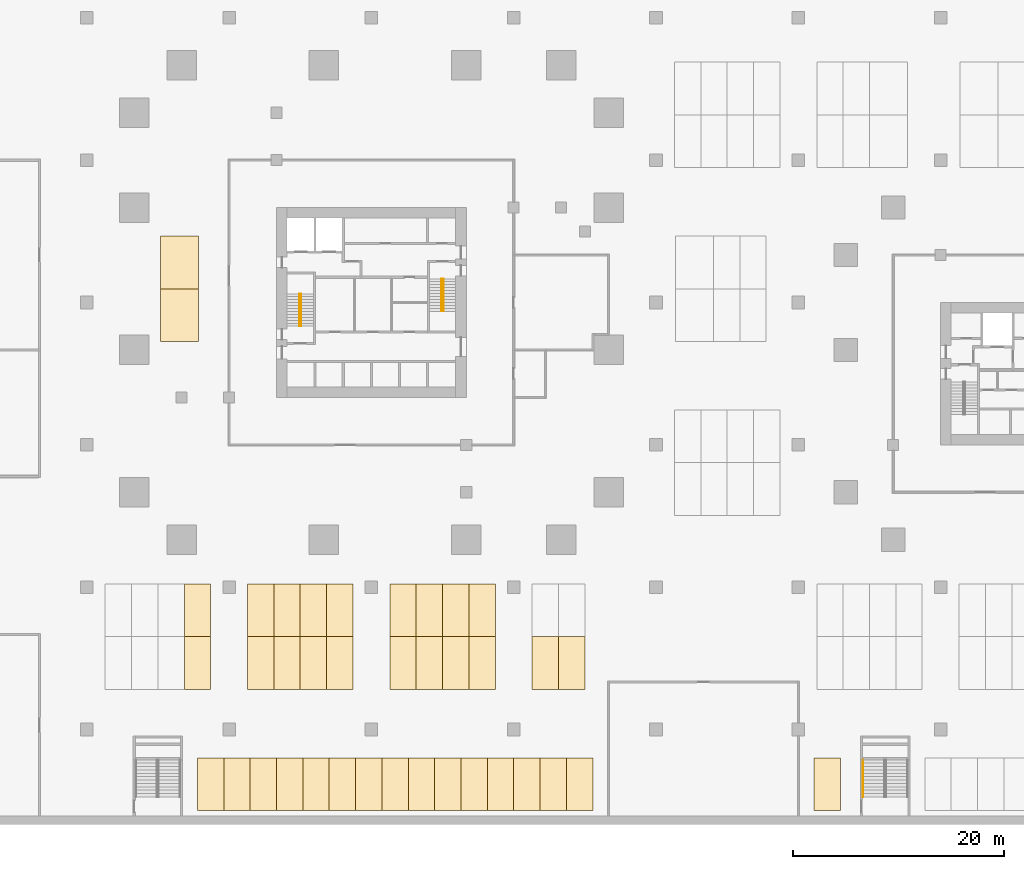
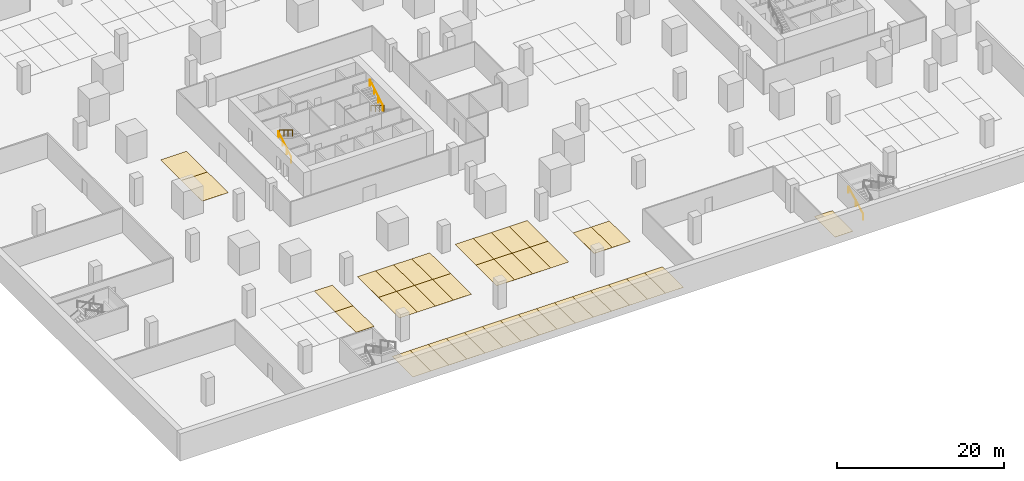
# One storey, part 19 of 31: 38 coverings, 5 railings.
"""IFC4 building model written with IfcOpenShell, lengths in metres."""

from ifc_helpers import new_model, si_unit, direction, frame, origin, origin_2d, place, context, subcontext, project, spatial, polyline, circle, outline, extrude, source, transform, mapped, material, layer, layer_set, type_object, element, save


model = new_model("IFC4")

# Units and contexts
model_context = context("Model", 3, precision=1e-05, world=origin(), true_north=direction((0.0, 1.0)))
body_context = subcontext(model_context, "Body", "Model", "MODEL_VIEW")
ifc_project = project(units=[si_unit("LENGTHUNIT", "METRE"), si_unit("AREAUNIT", "SQUARE_METRE"), si_unit("VOLUMEUNIT", "CUBIC_METRE"), si_unit("PLANEANGLEUNIT", "RADIAN"), si_unit("MASSUNIT", "GRAM", prefix="KILO")], contexts=[model_context])

# Site, building, storey
site_placement = place(None, origin())
site = spatial("IfcSite", under=ifc_project, at=site_placement, CompositionType="ELEMENT")
building_placement = place(site_placement, origin())
building = spatial("IfcBuilding", under=site, at=building_placement, Name="Altepetl Exchange Towers", CompositionType="ELEMENT")
storey_placement = place(building_placement, frame((0.0, 0.0, -4.0)))
storey = spatial("IfcBuildingStorey", under=building, at=storey_placement, Name="B1 Basement services", CompositionType="ELEMENT", Elevation=-4.0)

# Coverings
ifc_material_1 = material(Name="Road marking paint")
ifc_layer_1 = layer(ifc_material_1, 0.010009765625)
ifc_layer_set_1 = layer_set([ifc_layer_1], Name="Road marking paint")
covering_type_1 = type_object("IfcCoveringType", Name="Accessible parking bay marking 3600 x 5000", PredefinedType="FLOORING", material=ifc_layer_set_1)
covering_1_placement = place(storey_placement, origin())
element("IfcCovering", 1, at=covering_1_placement, inside=storey, type_object=covering_type_1, Name="Accessible parking bay B1-080", PredefinedType="FLOORING", context=body_context, shape_type="SweptSolid", body=[
    extrude(outline(polyline([(29.5, 45.800048828125), (33.10009765625, 45.800048828125), (33.10009765625, 50.800048828125), (29.5, 50.800048828125), (29.5, 45.800048828125)])), origin(), (0.0, 0.0, 1.0), 0.010009765625),
])
covering_2_placement = place(storey_placement, origin())
element("IfcCovering", 2, at=covering_2_placement, inside=storey, type_object=covering_type_1, Name="Accessible parking bay B1-084", PredefinedType="FLOORING", context=body_context, shape_type="SweptSolid", body=[
    extrude(outline(polyline([(29.5, 50.800048828125), (33.10009765625, 50.800048828125), (33.10009765625, 55.800048828125), (29.5, 55.800048828125), (29.5, 50.800048828125)])), origin(), (0.0, 0.0, 1.0), 0.010009765625),
])
ifc_layer_2 = layer(ifc_material_1, 0.010009765625)
ifc_layer_set_2 = layer_set([ifc_layer_2], Name="Road marking paint")
covering_type_2 = type_object("IfcCoveringType", Name="Parking bay marking 2500 x 5000", PredefinedType="FLOORING", material=ifc_layer_set_2)
covering_3_placement = place(storey_placement, origin())
element("IfcCovering", 3, at=covering_3_placement, inside=storey, type_object=covering_type_2, Name="Parking bay B1-001", PredefinedType="FLOORING", context=body_context, shape_type="SweptSolid", body=[
    extrude(outline(polyline([(33.0, 1.300048828125), (35.5, 1.300048828125), (35.5, 6.300048828125), (33.0, 6.300048828125), (33.0, 1.300048828125)])), origin(), (0.0, 0.0, 1.0), 0.010009765625),
])
covering_4_placement = place(storey_placement, origin())
element("IfcCovering", 4, at=covering_4_placement, inside=storey, type_object=covering_type_2, Name="Parking bay B1-002", PredefinedType="FLOORING", context=body_context, shape_type="SweptSolid", body=[
    extrude(outline(polyline([(35.5, 1.300048828125), (38.0, 1.300048828125), (38.0, 6.300048828125), (35.5, 6.300048828125), (35.5, 1.300048828125)])), origin(), (0.0, 0.0, 1.0), 0.010009765625),
])
covering_5_placement = place(storey_placement, origin())
element("IfcCovering", 5, at=covering_5_placement, inside=storey, type_object=covering_type_2, Name="Parking bay B1-003", PredefinedType="FLOORING", context=body_context, shape_type="SweptSolid", body=[
    extrude(outline(polyline([(38.0, 1.300048828125), (40.5, 1.300048828125), (40.5, 6.300048828125), (38.0, 6.300048828125), (38.0, 1.300048828125)])), origin(), (0.0, 0.0, 1.0), 0.010009765625),
])
covering_6_placement = place(storey_placement, origin())
element("IfcCovering", 6, at=covering_6_placement, inside=storey, type_object=covering_type_2, Name="Parking bay B1-004", PredefinedType="FLOORING", context=body_context, shape_type="SweptSolid", body=[
    extrude(outline(polyline([(40.5, 1.300048828125), (43.0, 1.300048828125), (43.0, 6.300048828125), (40.5, 6.300048828125), (40.5, 1.300048828125)])), origin(), (0.0, 0.0, 1.0), 0.010009765625),
])
covering_7_placement = place(storey_placement, origin())
element("IfcCovering", 7, at=covering_7_placement, inside=storey, type_object=covering_type_2, Name="Parking bay B1-005", PredefinedType="FLOORING", context=body_context, shape_type="SweptSolid", body=[
    extrude(outline(polyline([(43.0, 1.300048828125), (45.5, 1.300048828125), (45.5, 6.300048828125), (43.0, 6.300048828125), (43.0, 1.300048828125)])), origin(), (0.0, 0.0, 1.0), 0.010009765625),
])
covering_8_placement = place(storey_placement, origin())
element("IfcCovering", 8, at=covering_8_placement, inside=storey, type_object=covering_type_2, Name="Parking bay B1-006", PredefinedType="FLOORING", context=body_context, shape_type="SweptSolid", body=[
    extrude(outline(polyline([(45.5, 1.300048828125), (48.0, 1.300048828125), (48.0, 6.300048828125), (45.5, 6.300048828125), (45.5, 1.300048828125)])), origin(), (0.0, 0.0, 1.0), 0.010009765625),
])
covering_9_placement = place(storey_placement, origin())
element("IfcCovering", 9, at=covering_9_placement, inside=storey, type_object=covering_type_2, Name="Parking bay B1-007", PredefinedType="FLOORING", context=body_context, shape_type="SweptSolid", body=[
    extrude(outline(polyline([(48.0, 1.300048828125), (50.5, 1.300048828125), (50.5, 6.300048828125), (48.0, 6.300048828125), (48.0, 1.300048828125)])), origin(), (0.0, 0.0, 1.0), 0.010009765625),
])
covering_10_placement = place(storey_placement, origin())
element("IfcCovering", 10, at=covering_10_placement, inside=storey, type_object=covering_type_2, Name="Parking bay B1-008", PredefinedType="FLOORING", context=body_context, shape_type="SweptSolid", body=[
    extrude(outline(polyline([(50.5, 1.300048828125), (53.0, 1.300048828125), (53.0, 6.300048828125), (50.5, 6.300048828125), (50.5, 1.300048828125)])), origin(), (0.0, 0.0, 1.0), 0.010009765625),
])
covering_11_placement = place(storey_placement, origin())
element("IfcCovering", 11, at=covering_11_placement, inside=storey, type_object=covering_type_2, Name="Parking bay B1-009", PredefinedType="FLOORING", context=body_context, shape_type="SweptSolid", body=[
    extrude(outline(polyline([(53.0, 1.300048828125), (55.5, 1.300048828125), (55.5, 6.300048828125), (53.0, 6.300048828125), (53.0, 1.300048828125)])), origin(), (0.0, 0.0, 1.0), 0.010009765625),
])
covering_12_placement = place(storey_placement, origin())
element("IfcCovering", 12, at=covering_12_placement, inside=storey, type_object=covering_type_2, Name="Parking bay B1-010", PredefinedType="FLOORING", context=body_context, shape_type="SweptSolid", body=[
    extrude(outline(polyline([(55.5, 1.300048828125), (58.0, 1.300048828125), (58.0, 6.300048828125), (55.5, 6.300048828125), (55.5, 1.300048828125)])), origin(), (0.0, 0.0, 1.0), 0.010009765625),
])
covering_13_placement = place(storey_placement, origin())
element("IfcCovering", 13, at=covering_13_placement, inside=storey, type_object=covering_type_2, Name="Parking bay B1-011", PredefinedType="FLOORING", context=body_context, shape_type="SweptSolid", body=[
    extrude(outline(polyline([(58.0, 1.300048828125), (60.5, 1.300048828125), (60.5, 6.300048828125), (58.0, 6.300048828125), (58.0, 1.300048828125)])), origin(), (0.0, 0.0, 1.0), 0.010009765625),
])
covering_14_placement = place(storey_placement, origin())
element("IfcCovering", 14, at=covering_14_placement, inside=storey, type_object=covering_type_2, Name="Parking bay B1-012", PredefinedType="FLOORING", context=body_context, shape_type="SweptSolid", body=[
    extrude(outline(polyline([(60.5, 1.300048828125), (63.0, 1.300048828125), (63.0, 6.300048828125), (60.5, 6.300048828125), (60.5, 1.300048828125)])), origin(), (0.0, 0.0, 1.0), 0.010009765625),
])
covering_15_placement = place(storey_placement, origin())
element("IfcCovering", 15, at=covering_15_placement, inside=storey, type_object=covering_type_2, Name="Parking bay B1-013", PredefinedType="FLOORING", context=body_context, shape_type="SweptSolid", body=[
    extrude(outline(polyline([(63.0, 1.300048828125), (65.5, 1.300048828125), (65.5, 6.300048828125), (63.0, 6.300048828125), (63.0, 1.300048828125)])), origin(), (0.0, 0.0, 1.0), 0.010009765625),
])
covering_16_placement = place(storey_placement, origin())
element("IfcCovering", 16, at=covering_16_placement, inside=storey, type_object=covering_type_2, Name="Parking bay B1-014", PredefinedType="FLOORING", context=body_context, shape_type="SweptSolid", body=[
    extrude(outline(polyline([(65.5, 1.300048828125), (68.0, 1.300048828125), (68.0, 6.300048828125), (65.5, 6.300048828125), (65.5, 1.300048828125)])), origin(), (0.0, 0.0, 1.0), 0.010009765625),
])
covering_17_placement = place(storey_placement, origin())
element("IfcCovering", 17, at=covering_17_placement, inside=storey, type_object=covering_type_2, Name="Parking bay B1-015", PredefinedType="FLOORING", context=body_context, shape_type="SweptSolid", body=[
    extrude(outline(polyline([(68.0, 1.300048828125), (70.5, 1.300048828125), (70.5, 6.300048828125), (68.0, 6.300048828125), (68.0, 1.300048828125)])), origin(), (0.0, 0.0, 1.0), 0.010009765625),
])
covering_18_placement = place(storey_placement, origin())
element("IfcCovering", 18, at=covering_18_placement, inside=storey, type_object=covering_type_2, Name="Parking bay B1-016", PredefinedType="FLOORING", context=body_context, shape_type="SweptSolid", body=[
    extrude(outline(polyline([(91.5, 1.300048828125), (94.0, 1.300048828125), (94.0, 6.300048828125), (91.5, 6.300048828125), (91.5, 1.300048828125)])), origin(), (0.0, 0.0, 1.0), 0.010009765625),
])
covering_19_placement = place(storey_placement, origin())
element("IfcCovering", 19, at=covering_19_placement, inside=storey, type_object=covering_type_2, Name="Parking bay B1-029", PredefinedType="FLOORING", context=body_context, shape_type="SweptSolid", body=[
    extrude(outline(polyline([(31.75, 12.800048828125), (34.25, 12.800048828125), (34.25, 17.800048828125), (31.75, 17.800048828125), (31.75, 12.800048828125)])), origin(), (0.0, 0.0, 1.0), 0.010009765625),
])
covering_20_placement = place(storey_placement, origin())
element("IfcCovering", 20, at=covering_20_placement, inside=storey, type_object=covering_type_2, Name="Parking bay B1-030", PredefinedType="FLOORING", context=body_context, shape_type="SweptSolid", body=[
    extrude(outline(polyline([(37.75, 12.800048828125), (40.25, 12.800048828125), (40.25, 17.800048828125), (37.75, 17.800048828125), (37.75, 12.800048828125)])), origin(), (0.0, 0.0, 1.0), 0.010009765625),
])
covering_21_placement = place(storey_placement, origin())
element("IfcCovering", 21, at=covering_21_placement, inside=storey, type_object=covering_type_2, Name="Parking bay B1-031", PredefinedType="FLOORING", context=body_context, shape_type="SweptSolid", body=[
    extrude(outline(polyline([(40.25, 12.800048828125), (42.75, 12.800048828125), (42.75, 17.800048828125), (40.25, 17.800048828125), (40.25, 12.800048828125)])), origin(), (0.0, 0.0, 1.0), 0.010009765625),
])
covering_22_placement = place(storey_placement, origin())
element("IfcCovering", 22, at=covering_22_placement, inside=storey, type_object=covering_type_2, Name="Parking bay B1-032", PredefinedType="FLOORING", context=body_context, shape_type="SweptSolid", body=[
    extrude(outline(polyline([(42.75, 12.800048828125), (45.25, 12.800048828125), (45.25, 17.800048828125), (42.75, 17.800048828125), (42.75, 12.800048828125)])), origin(), (0.0, 0.0, 1.0), 0.010009765625),
])
covering_23_placement = place(storey_placement, origin())
element("IfcCovering", 23, at=covering_23_placement, inside=storey, type_object=covering_type_2, Name="Parking bay B1-033", PredefinedType="FLOORING", context=body_context, shape_type="SweptSolid", body=[
    extrude(outline(polyline([(45.25, 12.800048828125), (47.75, 12.800048828125), (47.75, 17.800048828125), (45.25, 17.800048828125), (45.25, 12.800048828125)])), origin(), (0.0, 0.0, 1.0), 0.010009765625),
])
covering_24_placement = place(storey_placement, origin())
element("IfcCovering", 24, at=covering_24_placement, inside=storey, type_object=covering_type_2, Name="Parking bay B1-034", PredefinedType="FLOORING", context=body_context, shape_type="SweptSolid", body=[
    extrude(outline(polyline([(51.25, 12.800048828125), (53.75, 12.800048828125), (53.75, 17.800048828125), (51.25, 17.800048828125), (51.25, 12.800048828125)])), origin(), (0.0, 0.0, 1.0), 0.010009765625),
])
covering_25_placement = place(storey_placement, origin())
element("IfcCovering", 25, at=covering_25_placement, inside=storey, type_object=covering_type_2, Name="Parking bay B1-035", PredefinedType="FLOORING", context=body_context, shape_type="SweptSolid", body=[
    extrude(outline(polyline([(53.75, 12.800048828125), (56.25, 12.800048828125), (56.25, 17.800048828125), (53.75, 17.800048828125), (53.75, 12.800048828125)])), origin(), (0.0, 0.0, 1.0), 0.010009765625),
])
covering_26_placement = place(storey_placement, origin())
element("IfcCovering", 26, at=covering_26_placement, inside=storey, type_object=covering_type_2, Name="Parking bay B1-036", PredefinedType="FLOORING", context=body_context, shape_type="SweptSolid", body=[
    extrude(outline(polyline([(56.25, 12.800048828125), (58.75, 12.800048828125), (58.75, 17.800048828125), (56.25, 17.800048828125), (56.25, 12.800048828125)])), origin(), (0.0, 0.0, 1.0), 0.010009765625),
])
covering_27_placement = place(storey_placement, origin())
element("IfcCovering", 27, at=covering_27_placement, inside=storey, type_object=covering_type_2, Name="Parking bay B1-037", PredefinedType="FLOORING", context=body_context, shape_type="SweptSolid", body=[
    extrude(outline(polyline([(58.75, 12.800048828125), (61.25, 12.800048828125), (61.25, 17.800048828125), (58.75, 17.800048828125), (58.75, 12.800048828125)])), origin(), (0.0, 0.0, 1.0), 0.010009765625),
])
covering_28_placement = place(storey_placement, origin())
element("IfcCovering", 28, at=covering_28_placement, inside=storey, type_object=covering_type_2, Name="Parking bay B1-038", PredefinedType="FLOORING", context=body_context, shape_type="SweptSolid", body=[
    extrude(outline(polyline([(64.75, 12.800048828125), (67.25, 12.800048828125), (67.25, 17.800048828125), (64.75, 17.800048828125), (64.75, 12.800048828125)])), origin(), (0.0, 0.0, 1.0), 0.010009765625),
])
covering_29_placement = place(storey_placement, origin())
element("IfcCovering", 29, at=covering_29_placement, inside=storey, type_object=covering_type_2, Name="Parking bay B1-039", PredefinedType="FLOORING", context=body_context, shape_type="SweptSolid", body=[
    extrude(outline(polyline([(67.25, 12.800048828125), (69.75, 12.800048828125), (69.75, 17.800048828125), (67.25, 17.800048828125), (67.25, 12.800048828125)])), origin(), (0.0, 0.0, 1.0), 0.010009765625),
])
covering_30_placement = place(storey_placement, origin())
element("IfcCovering", 30, at=covering_30_placement, inside=storey, type_object=covering_type_2, Name="Parking bay B1-052", PredefinedType="FLOORING", context=body_context, shape_type="SweptSolid", body=[
    extrude(outline(polyline([(31.75, 17.800048828125), (34.25, 17.800048828125), (34.25, 22.800048828125), (31.75, 22.800048828125), (31.75, 17.800048828125)])), origin(), (0.0, 0.0, 1.0), 0.010009765625),
])
covering_31_placement = place(storey_placement, origin())
element("IfcCovering", 31, at=covering_31_placement, inside=storey, type_object=covering_type_2, Name="Parking bay B1-053", PredefinedType="FLOORING", context=body_context, shape_type="SweptSolid", body=[
    extrude(outline(polyline([(37.75, 17.800048828125), (40.25, 17.800048828125), (40.25, 22.800048828125), (37.75, 22.800048828125), (37.75, 17.800048828125)])), origin(), (0.0, 0.0, 1.0), 0.010009765625),
])
covering_32_placement = place(storey_placement, origin())
element("IfcCovering", 32, at=covering_32_placement, inside=storey, type_object=covering_type_2, Name="Parking bay B1-054", PredefinedType="FLOORING", context=body_context, shape_type="SweptSolid", body=[
    extrude(outline(polyline([(40.25, 17.800048828125), (42.75, 17.800048828125), (42.75, 22.800048828125), (40.25, 22.800048828125), (40.25, 17.800048828125)])), origin(), (0.0, 0.0, 1.0), 0.010009765625),
])
covering_33_placement = place(storey_placement, origin())
element("IfcCovering", 33, at=covering_33_placement, inside=storey, type_object=covering_type_2, Name="Parking bay B1-055", PredefinedType="FLOORING", context=body_context, shape_type="SweptSolid", body=[
    extrude(outline(polyline([(42.75, 17.800048828125), (45.25, 17.800048828125), (45.25, 22.800048828125), (42.75, 22.800048828125), (42.75, 17.800048828125)])), origin(), (0.0, 0.0, 1.0), 0.010009765625),
])
covering_34_placement = place(storey_placement, origin())
element("IfcCovering", 34, at=covering_34_placement, inside=storey, type_object=covering_type_2, Name="Parking bay B1-056", PredefinedType="FLOORING", context=body_context, shape_type="SweptSolid", body=[
    extrude(outline(polyline([(45.25, 17.800048828125), (47.75, 17.800048828125), (47.75, 22.800048828125), (45.25, 22.800048828125), (45.25, 17.800048828125)])), origin(), (0.0, 0.0, 1.0), 0.010009765625),
])
covering_35_placement = place(storey_placement, origin())
element("IfcCovering", 35, at=covering_35_placement, inside=storey, type_object=covering_type_2, Name="Parking bay B1-057", PredefinedType="FLOORING", context=body_context, shape_type="SweptSolid", body=[
    extrude(outline(polyline([(51.25, 17.800048828125), (53.75, 17.800048828125), (53.75, 22.800048828125), (51.25, 22.800048828125), (51.25, 17.800048828125)])), origin(), (0.0, 0.0, 1.0), 0.010009765625),
])
covering_36_placement = place(storey_placement, origin())
element("IfcCovering", 36, at=covering_36_placement, inside=storey, type_object=covering_type_2, Name="Parking bay B1-058", PredefinedType="FLOORING", context=body_context, shape_type="SweptSolid", body=[
    extrude(outline(polyline([(53.75, 17.800048828125), (56.25, 17.800048828125), (56.25, 22.800048828125), (53.75, 22.800048828125), (53.75, 17.800048828125)])), origin(), (0.0, 0.0, 1.0), 0.010009765625),
])
covering_37_placement = place(storey_placement, origin())
element("IfcCovering", 37, at=covering_37_placement, inside=storey, type_object=covering_type_2, Name="Parking bay B1-059", PredefinedType="FLOORING", context=body_context, shape_type="SweptSolid", body=[
    extrude(outline(polyline([(56.25, 17.800048828125), (58.75, 17.800048828125), (58.75, 22.800048828125), (56.25, 22.800048828125), (56.25, 17.800048828125)])), origin(), (0.0, 0.0, 1.0), 0.010009765625),
])
covering_38_placement = place(storey_placement, origin())
element("IfcCovering", 38, at=covering_38_placement, inside=storey, type_object=covering_type_2, Name="Parking bay B1-060", PredefinedType="FLOORING", context=body_context, shape_type="SweptSolid", body=[
    extrude(outline(polyline([(58.75, 17.800048828125), (61.25, 17.800048828125), (61.25, 22.800048828125), (58.75, 22.800048828125), (58.75, 17.800048828125)])), origin(), (0.0, 0.0, 1.0), 0.010009765625),
])

# Railings
ifc_material_2 = material(Name="Steel", Category="steel")
railing_type_1 = type_object("IfcRailingType", Name="Stair handrail 50 steel tube", PredefinedType="HANDRAIL", material=ifc_material_2)
shared_shape_1 = source(origin(), body_context, "Body", "SweptSolid", [
    extrude(circle(Radius=0.02099609375, at=origin_2d()), origin(), (0.0, 0.0, 1.0), 0.851806640625),
])
railing_1_placement = place(storey_placement, frame((42.669921875, 47.25, 0.166748046875)))
element("IfcRailing", 39, at=railing_1_placement, inside=storey, type_object=railing_type_1, Name="Stair handrail", PredefinedType="HANDRAIL", context=body_context, shape_type="SweptSolid", body=[
    extrude(circle(Radius=0.02392578125, at=origin_2d()), frame((0.0, 0.0, 0.8759765625), z_axis=(0.0, 0.859308565015, 0.511457515432), x_axis=(-1.0, 0.0, 0.0)), (0.0, 0.0, 1.0), 3.58447265625),
    mapped(shared_shape_1, transform((0.0, 0.0, 0.0))),
    mapped(shared_shape_1, transform((0.0, 1.026611328125, 0.611083984375))),
    mapped(shared_shape_1, transform((0.0, 2.053466796875, 1.22216796875))),
    mapped(shared_shape_1, transform((0.0, 3.080078125, 1.833251953125))),
])
for number, where, name in (
    (40, (42.830078125, 50.330078125, 2.166748046875), "Stair handrail"),
    (41, (56.330078125, 51.75, 0.166748046875), "Stair handrail"),
):
    element("IfcRailing", number, at=place(storey_placement, frame(where)), inside=storey, type_object=railing_type_1, Name=name, PredefinedType="HANDRAIL", context=body_context, shape_type="SweptSolid", body=[
        extrude(circle(Radius=0.02392578125, at=origin_2d()), frame((0.0, 0.0, 0.8759765625), z_axis=(0.0, -0.859308565015, 0.511457515432), x_axis=(1.0, 0.0, 0.0)), (0.0, 0.0, 1.0), 3.58447265625),
        mapped(shared_shape_1, transform((0.0, 0.0, 0.0))),
        mapped(shared_shape_1, transform((0.0, -1.026611328125, 0.611083984375))),
        mapped(shared_shape_1, transform((0.0, -2.053466796875, 1.22216796875))),
        mapped(shared_shape_1, transform((0.0, -3.080078125, 1.833251953125))),
    ])
railing_2_placement = place(storey_placement, frame((56.169921875, 48.669921875, 2.166748046875)))
element("IfcRailing", 42, at=railing_2_placement, inside=storey, type_object=railing_type_1, Name="Stair handrail", PredefinedType="HANDRAIL", context=body_context, shape_type="SweptSolid", body=[
    extrude(circle(Radius=0.02392578125, at=origin_2d()), frame((0.0, 0.0, 0.8759765625), z_axis=(0.0, 0.859308565015, 0.511457515432), x_axis=(-1.0, 0.0, 0.0)), (0.0, 0.0, 1.0), 3.58447265625),
    mapped(shared_shape_1, transform((0.0, 0.0, 0.0))),
    mapped(shared_shape_1, transform((0.0, 1.026611328125, 0.611083984375))),
    mapped(shared_shape_1, transform((0.0, 2.053466796875, 1.22216796875))),
    mapped(shared_shape_1, transform((0.0, 3.080078125, 1.833251953125))),
])
ifc_material_3 = material(Name="Stainless steel", Category="steel")
railing_type_2 = type_object("IfcRailingType", Name="Stair handrail 900", PredefinedType="HANDRAIL", material=ifc_material_3)
shared_shape_2 = source(origin(), body_context, "Body", "SweptSolid", [
    extrude(circle(Radius=0.02001953125, at=origin_2d()), origin(), (0.0, 0.0, 1.0), 0.849853515625),
])
railing_3_placement = place(storey_placement, frame((96.14990234375, 2.60009765625, 0.166748046875)))
element("IfcRailing", 43, at=railing_3_placement, inside=storey, type_object=railing_type_2, Name="rail:P:B1:ES2:1a", PredefinedType="HANDRAIL", context=body_context, shape_type="SweptSolid", body=[
    extrude(circle(Radius=0.02490234375, at=origin_2d()), frame((0.0, 0.0, 0.875), z_axis=(0.0, 0.886923534906, 0.461916272965), x_axis=(-1.0, 0.0, 0.0)), (0.0, 0.0, 1.0), 3.96875),
    mapped(shared_shape_2, transform((0.0, 0.0, 0.0))),
    mapped(shared_shape_2, transform((0.0, 1.760009765625, 0.91650390625))),
    mapped(shared_shape_2, transform((0.0, 3.52001953125, 1.833251953125))),
])

save(model, "model.ifc")
